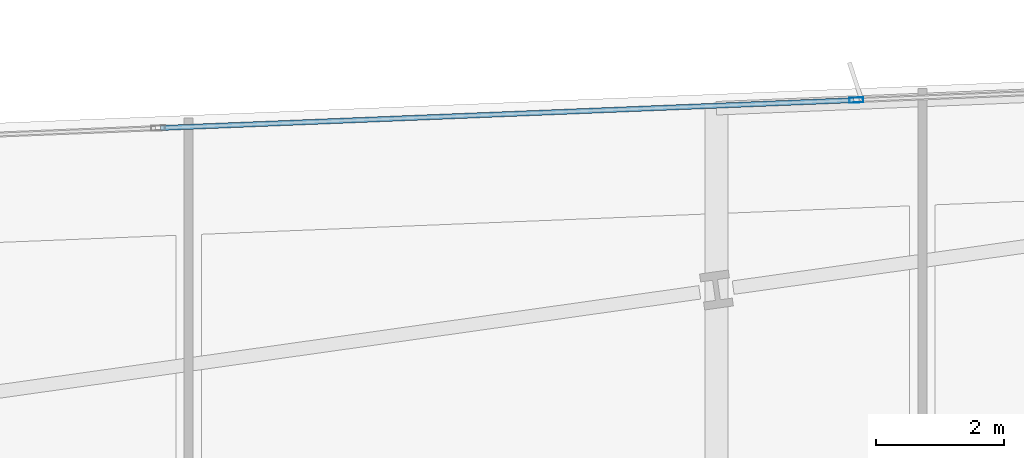
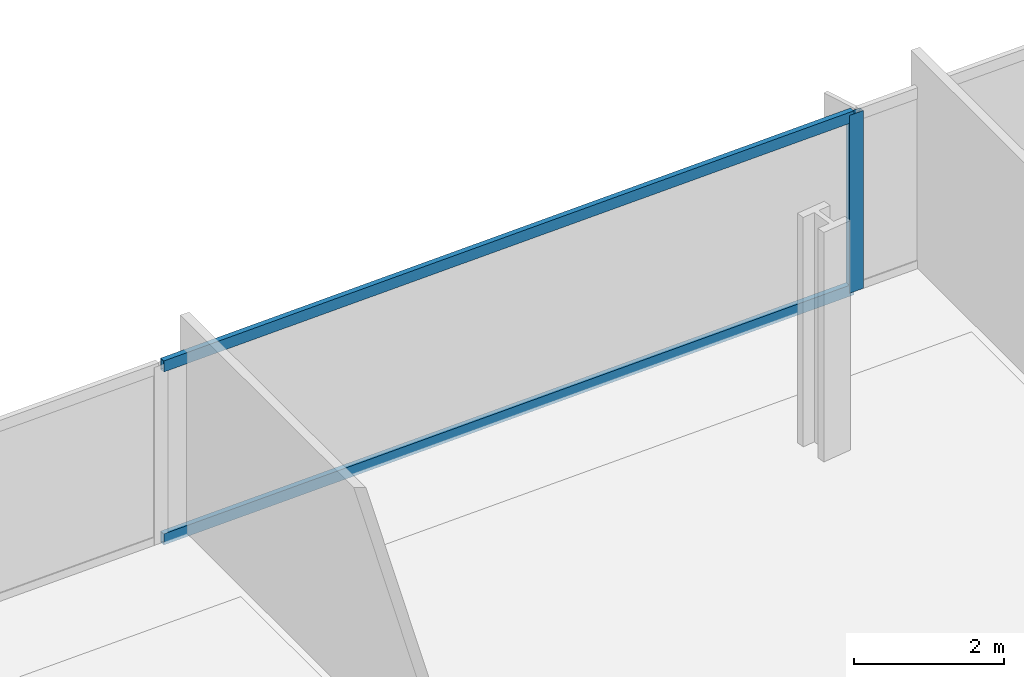
# One storey, part 19 of 32: 3 members, 1 element without a shape of its own.
"""IFC4 building model written with IfcOpenShell, lengths in metres."""

from ifc_helpers import new_model, si_unit, direction, frame, origin, origin_2d, place, context, subcontext, project, spatial, hollow_rectangle, extrude, material, material_profile, profile_set, type_object, element, aggregate, save


model = new_model("IFC4")

# Units and contexts
model_context = context("Model", 3, precision=1e-05, world=origin(), true_north=direction((0.0, 1.0)))
body_context = subcontext(model_context, "Body", "Model", "MODEL_VIEW")
ifc_project = project(units=[si_unit("LENGTHUNIT", "METRE"), si_unit("AREAUNIT", "SQUARE_METRE"), si_unit("VOLUMEUNIT", "CUBIC_METRE"), si_unit("PLANEANGLEUNIT", "RADIAN"), si_unit("MASSUNIT", "GRAM", prefix="KILO")], contexts=[model_context])

# Site, building, storey
site_placement = place(None, origin())
site = spatial("IfcSite", under=ifc_project, at=site_placement, CompositionType="ELEMENT")
building_placement = place(site_placement, origin())
building = spatial("IfcBuilding", under=site, at=building_placement, Name="Haldenkirk Collegiate Tower", CompositionType="ELEMENT")
storey_placement = place(building_placement, frame((0.0, 0.0, 36.449951171875)))
storey = spatial("IfcBuildingStorey", under=building, at=storey_placement, Name="L07", CompositionType="ELEMENT", Elevation=36.449951171875)

# Curtain wall, members
ifc_material = material(Name="Anodised architectural bronze aluminium", Category="aluminium")
curtain_wall_type = type_object("IfcCurtainWallType", Name="CW-SYS1-CONVEX-LOW", PredefinedType="USERDEFINED", material=ifc_material)
curtain_wall_placement = place(storey_placement, origin())
curtain_wall = element("IfcCurtainWall", 1, at=curtain_wall_placement, inside=storey, type_object=curtain_wall_type, Name="L07 Lower tower convex bronze-framed unitised curtain wall", ObjectType="UNITISED CURTAIN WALL", PredefinedType="USERDEFINED")
ifc_material_profile_1 = material_profile(ifc_material, hollow_rectangle(XDim=0.080078125, YDim=0.219970703125, WallThickness=0.0048828125, at=origin_2d()), Name="CW-MUL-1A")
ifc_profile_set_1 = profile_set([ifc_material_profile_1], Name="Anodised architectural bronze aluminium")
member_type_1 = type_object("IfcMemberType", Name="CW-MUL-1A", PredefinedType="MULLION", material=ifc_profile_set_1)
member_1_placement = place(storey_placement, frame((34.9638671875, 51.799072265625, 0.0), z_axis=(0.0, 0.0, 1.0), x_axis=(-0.04013471179, 0.999194277861, 0.0)))
member_1 = element("IfcMember", 2, at=member_1_placement, type_object=member_type_1, Name="CW-1A mullion 3", PredefinedType="MULLION", context=body_context, shape_type="SweptSolid", body=[
    extrude(hollow_rectangle(XDim=0.080078125, YDim=0.219970703125, WallThickness=0.0048828125, at=origin_2d()), origin(), (0.0, 0.0, 1.0), 2.89111328125),
])
ifc_material_profile_2 = material_profile(ifc_material, hollow_rectangle(XDim=0.080078125, YDim=0.179931640625, WallThickness=0.0048828125, at=origin_2d()), Name="CW-TRN-1A")
ifc_profile_set_2 = profile_set([ifc_material_profile_2], Name="Anodised architectural bronze aluminium")
member_type_2 = type_object("IfcMemberType", Name="CW-TRN-1A", PredefinedType="USERDEFINED", material=ifc_profile_set_2)
member_2_placement = place(storey_placement, frame((24.0625, 51.361328125, 0.0400390625), z_axis=(0.999194235388, 0.040135769166, 0.0), x_axis=(-0.040135769166, 0.999194235388, 0.0)))
member_2 = element("IfcMember", 3, at=member_2_placement, type_object=member_type_2, Name="CW-1A transom 2.1", ObjectType="TRANSOM", PredefinedType="USERDEFINED", context=body_context, shape_type="SweptSolid", body=[
    extrude(hollow_rectangle(XDim=0.080078125, YDim=0.179931640625, WallThickness=0.0048828125, at=origin_2d()), origin(), (0.0, 0.0, 1.0), 10.8701171875),
])
member_3_placement = place(storey_placement, frame((24.0625, 51.361328125, 2.85107421875), z_axis=(0.999194235388, 0.040135769166, 0.0), x_axis=(-0.040135769166, 0.999194235388, 0.0)))
member_3 = element("IfcMember", 4, at=member_3_placement, type_object=member_type_2, Name="CW-1A transom 2.2", ObjectType="TRANSOM", PredefinedType="USERDEFINED", context=body_context, shape_type="SweptSolid", body=[
    extrude(hollow_rectangle(XDim=0.080078125, YDim=0.179931640625, WallThickness=0.0048828125, at=origin_2d()), origin(), (0.0, 0.0, 1.0), 10.8701171875),
])
aggregate(curtain_wall, [member_1, member_2, member_3])

save(model, "model.ifc")
